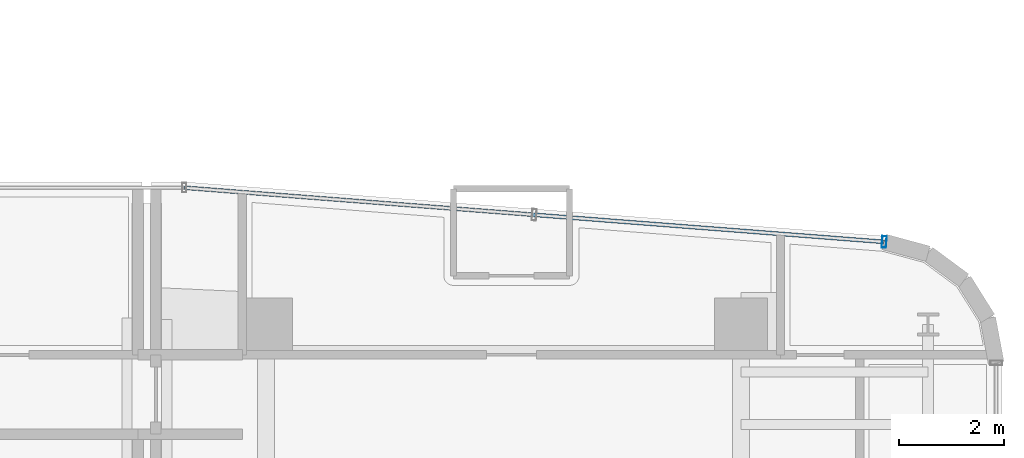
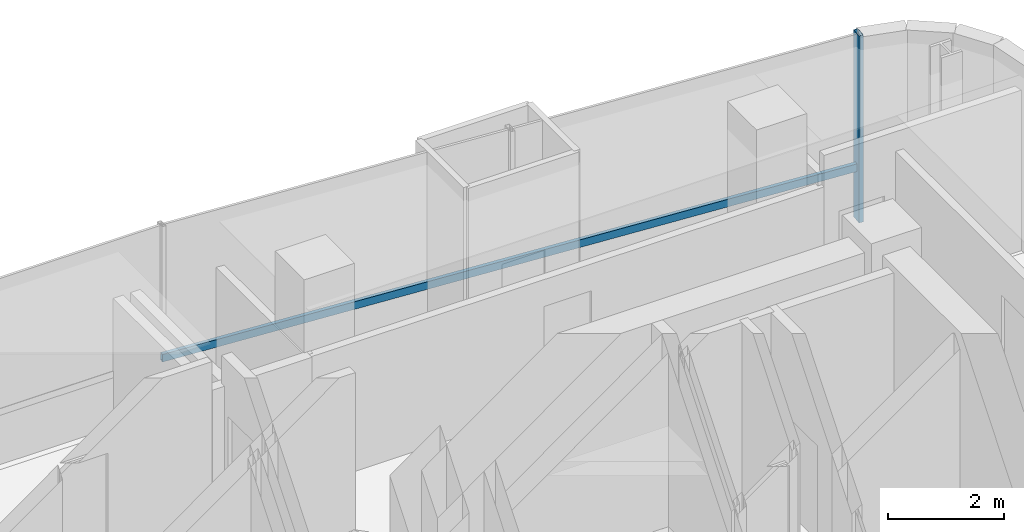
# One storey, part 23 of 37: 2 members, 1 element without a shape of its own.
"""IFC4 building model written with IfcOpenShell, lengths in metres."""

from ifc_helpers import new_model, si_unit, direction, frame, origin, origin_2d, place, context, subcontext, project, spatial, hollow_rectangle, extrude, source, transform, mapped, material, material_profile, profile_set, type_object, element, aggregate, save


model = new_model("IFC4")

# Units and contexts
model_context = context("Model", 3, precision=1e-05, world=origin(), true_north=direction((0.0, 1.0)))
body_context = subcontext(model_context, "Body", "Model", "MODEL_VIEW")
ifc_project = project(units=[si_unit("LENGTHUNIT", "METRE"), si_unit("AREAUNIT", "SQUARE_METRE"), si_unit("VOLUMEUNIT", "CUBIC_METRE"), si_unit("PLANEANGLEUNIT", "RADIAN"), si_unit("MASSUNIT", "GRAM", prefix="KILO")], contexts=[model_context])

# Site, building, storey
site_placement = place(None, origin())
site = spatial("IfcSite", under=ifc_project, at=site_placement, CompositionType="ELEMENT")
building_placement = place(site_placement, origin())
building = spatial("IfcBuilding", under=site, at=building_placement, Name="Valdorenza Pilgrim Sanctuary Tower", CompositionType="ELEMENT")
storey_placement = place(building_placement, frame((0.0, 0.0, 172.300048828125)))
storey = spatial("IfcBuildingStorey", under=building, at=storey_placement, Name="L44", CompositionType="ELEMENT", Elevation=172.300048828125)

# Curtain wall, members
ifc_material_1 = material(Name="Curtain-wall IGU glazing", Category="glass")
curtain_wall_type = type_object("IfcCurtainWallType", Name="CW-SYS-03", PredefinedType="NOTDEFINED", material=ifc_material_1)
curtain_wall_placement = place(storey_placement, origin())
curtain_wall = element("IfcCurtainWall", 1, at=curtain_wall_placement, inside=storey, type_object=curtain_wall_type, Name="L44 Curtain Wall CW-L44-1-32", PredefinedType="NOTDEFINED")
ifc_material_2 = material(Name="Anodised aluminium AW-6060", Category="aluminium")
ifc_material_profile_1 = material_profile(ifc_material_2, hollow_rectangle(XDim=0.0849609375, YDim=0.219970703125, WallThickness=0.0048828125, at=origin_2d()), Name="ALU-M 220x85x5")
ifc_profile_set_1 = profile_set([ifc_material_profile_1], Name="Anodised aluminium AW-6060")
member_type_1 = type_object("IfcMemberType", Name="CW-MUL-03", PredefinedType="MULLION", material=ifc_profile_set_1)
shared_shape_1 = source(origin(), body_context, "Body", "SweptSolid", [
    extrude(hollow_rectangle(XDim=0.0849609375, YDim=0.219970703125, WallThickness=0.0048828125, at=origin_2d()), origin(), (0.0, 0.0, 1.0), 3.929931640625),
])
member_1_placement = place(storey_placement, frame((27.56640625, 15.0625, 0.0), z_axis=(0.0, 0.0, 1.0), x_axis=(0.997016488532, -0.077188869631, 0.0)))
member_1 = element("IfcMember", 2, at=member_1_placement, type_object=member_type_1, Name="CW-L44-1-32 Mullion 3", PredefinedType="MULLION", context=body_context, shape_type="MappedRepresentation", body=[
    mapped(shared_shape_1, transform((0.0, 0.0, 0.0), x_axis=(1.0, 0.0, 0.0), y_axis=(0.0, 1.0, 0.0), z_axis=(0.0, 0.0, 1.0), scale=1.0)),
])
ifc_material_profile_2 = material_profile(ifc_material_2, hollow_rectangle(XDim=0.074951171875, YDim=0.159912109375, WallThickness=0.00390625, at=origin_2d()), Name="ALU-T 160x75x4")
ifc_profile_set_2 = profile_set([ifc_material_profile_2], Name="Anodised aluminium AW-6060")
member_type_2 = type_object("IfcMemberType", Name="CW-TRN-03", PredefinedType="USERDEFINED", material=ifc_profile_set_2)
shared_shape_2 = source(origin(), body_context, "Body", "SweptSolid", [
    extrude(hollow_rectangle(XDim=0.074951171875, YDim=0.159912109375, WallThickness=0.00390625, at=origin_2d()), origin(), (0.0, 0.0, 1.0), 13.310546875),
])
member_2_placement = place(storey_placement, frame((14.295654296875, 16.090087890625, 1.119873046875), z_axis=(0.997015515781, -0.077201433227, 0.0), x_axis=(0.077201433227, 0.997015515781, 0.0)))
member_2 = element("IfcMember", 3, at=member_2_placement, type_object=member_type_2, Name="CW-L44-1-32 Transom 1", ObjectType="TRANSOM", PredefinedType="USERDEFINED", context=body_context, shape_type="MappedRepresentation", body=[
    mapped(shared_shape_2, transform((0.0, 0.0, 0.0), x_axis=(1.0, 0.0, 0.0), y_axis=(0.0, 1.0, 0.0), z_axis=(0.0, 0.0, 1.0), scale=1.0)),
])
aggregate(curtain_wall, [member_1, member_2])

save(model, "model.ifc")
